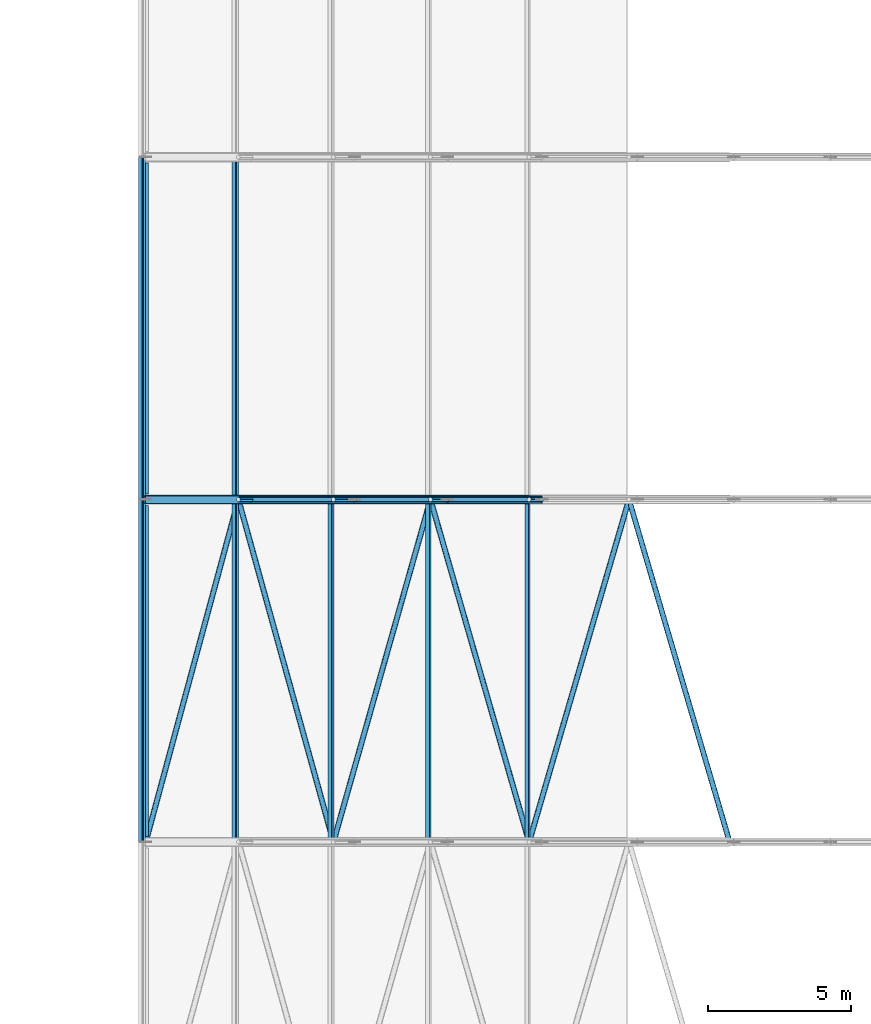
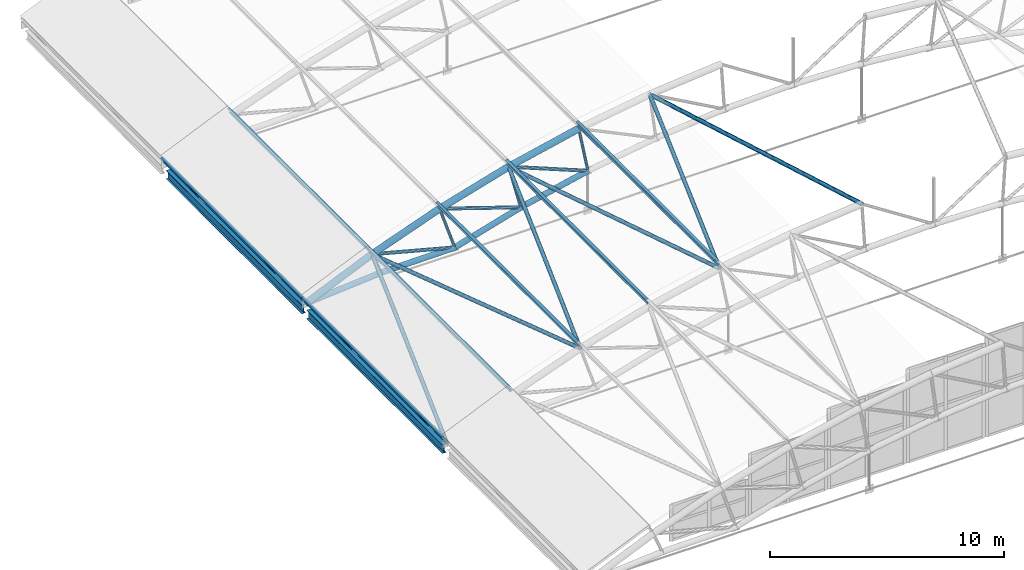
# One storey, part 118 of 321: 28 members, 2 beams.
"""IFC4 building model written with IfcOpenShell, lengths in metres."""

import ifcopenshell
import ifcopenshell.guid

model = None  # the IFC model being written
_history = None  # IfcOwnerHistory: only IFC2X3 demands one
_inside = {}  # id of a spatial element -> (the spatial element, [elements in it])
_under = {}  # id of a project, library or spatial element -> (it, [spatial elements below it])
_declared = {}  # id of a project -> (the project, [libraries it declares])
_typed = {}  # id of a type object -> (the type object, [elements of that type])
_made_of = {}  # id of a material, layer set ... -> (it, [elements and type objects made of it])


def new_model(schema):
    """Start an empty IFC model of exactly this schema.

    Asked for "IFC4X3", IfcOpenShell would pick the latest addendum, in which some entities
    have other attributes; the version numbers below select the first issue.
    IFC2X3 requires an IfcOwnerHistory on every rooted entity: one is made here for all.
    """
    global model, _history
    if schema == "IFC4X3":
        model = ifcopenshell.file(schema_version=(4, 3, 0, 0))
    else:
        model = ifcopenshell.file(schema=schema)
    _inside.clear()
    _under.clear()
    _declared.clear()
    _typed.clear()
    _made_of.clear()
    _history = None
    if model.schema == "IFC2X3":
        org = make("IfcOrganization", Name="unknown")
        user = make(
            "IfcPersonAndOrganization",
            ThePerson=make("IfcPerson", FamilyName="unknown"),
            TheOrganization=org,
        )
        app = make(
            "IfcApplication",
            ApplicationDeveloper=org,
            Version="unknown",
            ApplicationFullName="unknown",
            ApplicationIdentifier="unknown",
        )
        _history = make(
            "IfcOwnerHistory",
            OwningUser=user,
            OwningApplication=app,
            ChangeAction="ADDED",
            CreationDate=0,
        )
    return model


def make(cls, **values):
    """One entity of the class cls with the attributes given. An attribute that is None is left unset."""
    return model.create_entity(
        cls, **{name: value for name, value in values.items() if value is not None}
    )


def rooted(cls, **values):
    """An entity with a GlobalId (a new one), such as an element, a storey or a relation."""
    return make(cls, GlobalId=ifcopenshell.guid.new(), OwnerHistory=_history, **values)


def si_unit(unit_type, name, prefix=None):
    """IfcSIUnit, for example si_unit("LENGTHUNIT", "METRE", prefix="MILLI")."""
    return make("IfcSIUnit", UnitType=unit_type, Prefix=prefix, Name=name)


def assignment(units):
    """IfcUnitAssignment: the units of a project."""
    return None if units is None else make("IfcUnitAssignment", Units=units)


def point(xyz):
    """IfcCartesianPoint."""
    return None if xyz is None else make("IfcCartesianPoint", Coordinates=xyz)


def direction(xyz):
    """IfcDirection."""
    return None if xyz is None else make("IfcDirection", DirectionRatios=xyz)


def frame(location, z_axis=None, x_axis=None):
    """IfcAxis2Placement3D, a coordinate frame: its origin and axes. An axis left out is left unset."""
    return make(
        "IfcAxis2Placement3D",
        Location=point(location),
        Axis=direction(z_axis),
        RefDirection=direction(x_axis),
    )


def frame_2d(location, x_axis=None):
    """IfcAxis2Placement2D, a coordinate frame in the plane: its origin and x axis."""
    return make(
        "IfcAxis2Placement2D", Location=point(location), RefDirection=direction(x_axis)
    )


def origin():
    """The frame at (0, 0, 0) with its axes left unset."""
    return frame((0.0, 0.0, 0.0))


def origin_2d():
    """The frame at (0, 0) in the plane with its x axis left unset."""
    return frame_2d((0.0, 0.0))


def place(relative_to, where):
    """IfcLocalPlacement: puts the frame where relative to a parent placement (None: the world)."""
    return make(
        "IfcLocalPlacement", PlacementRelTo=relative_to, RelativePlacement=where
    )


def context(
    kind, dimensions, precision=None, world=None, true_north=None, identifier=None
):
    """IfcGeometricRepresentationContext, for example the 3D "Model" context."""
    return make(
        "IfcGeometricRepresentationContext",
        ContextIdentifier=identifier,
        ContextType=kind,
        CoordinateSpaceDimension=dimensions,
        Precision=precision,
        WorldCoordinateSystem=world,
        TrueNorth=true_north,
    )


def subcontext(parent, identifier, kind, view, scale=None):
    """IfcGeometricRepresentationSubContext, for example "Body" below "Model"."""
    return make(
        "IfcGeometricRepresentationSubContext",
        ContextIdentifier=identifier,
        ContextType=kind,
        ParentContext=parent,
        TargetScale=scale,
        TargetView=view,
    )


def project(units=None, contexts=None):
    """IfcProject with its units and contexts."""
    return rooted(
        "IfcProject",
        Name="project",
        RepresentationContexts=contexts,
        UnitsInContext=assignment(units),
    )


def spatial(cls, under=None, at=None, **own):
    """A site, building, storey or space (cls), placed at a placement, below another one or the project."""
    s = rooted(cls, ObjectPlacement=at, **own)
    if under is not None:
        _under.setdefault(under.id(), (under, []))[1].append(s)
    return s


def profile(cls, at=None, kind="AREA", **sizes):
    """A parametric profile (cls). Its sizes go by their IFC names, for example OverallWidth=200.0."""
    return make(cls, ProfileType=kind, Position=at, **sizes)


def hollow_circle(**sizes):
    """IfcCircleHollowProfileDef."""
    return profile("IfcCircleHollowProfileDef", **sizes)


def i_section(**sizes):
    """IfcIShapeProfileDef."""
    return profile("IfcIShapeProfileDef", **sizes)


def extrude(swept, where, along, depth):
    """IfcExtrudedAreaSolid: the profile swept, set in the frame where, extruded along a direction by depth."""
    return make(
        "IfcExtrudedAreaSolid",
        SweptArea=swept,
        Position=where,
        ExtrudedDirection=direction(along),
        Depth=depth,
    )


def shape(context_of_items, identifier, shape_type, items):
    """IfcShapeRepresentation: the items that make up one representation, for example the "Body"."""
    return make(
        "IfcShapeRepresentation",
        ContextOfItems=context_of_items,
        RepresentationIdentifier=identifier,
        RepresentationType=shape_type,
        Items=items,
    )


def material(Name=None, Category=None):
    """IfcMaterial."""
    return make("IfcMaterial", Name=Name, Category=Category)


def material_profile(
    of_material, cross_section, Name=None, Category=None, Priority=None
):
    """IfcMaterialProfile: a cross section and its material."""
    return make(
        "IfcMaterialProfile",
        Name=Name,
        Material=of_material,
        Profile=cross_section,
        Priority=Priority,
        Category=Category,
    )


def profile_set(profiles, Name=None, composite=None):
    """IfcMaterialProfileSet."""
    return make(
        "IfcMaterialProfileSet",
        Name=Name,
        MaterialProfiles=profiles,
        CompositeProfile=composite,
    )


def made_of(thing, what):
    """Note that an element or type object is made of a material, layer set ...; save() writes the relation."""
    if what is not None:
        _made_of.setdefault(what.id(), (what, []))[1].append(thing)
    return thing


def type_object(cls, material=None, **own):
    """A type object (cls), such as IfcWallType, which elements share."""
    return made_of(rooted(cls, **own), material)


def element(
    cls,
    number,
    at=None,
    inside=None,
    cuts=None,
    type_object=None,
    material=None,
    context=None,
    identifier="Body",
    shape_type=None,
    held_by="IfcProductDefinitionShape",
    body=None,
    shapes=None,
    **own,
):
    """One element of the class cls, such as IfcWall. Its Tag is "e" and its number.

    at: its placement. inside: the storey or other place that contains it. cuts: it is an
    opening in that element (IfcRelVoidsElement). A single representation is given by context,
    identifier, shape_type and body (its items); several are given by shapes. held_by: the class
    of the entity that holds the representations. save() writes the other relations.
    """
    e = rooted(cls, Tag="e%d" % number, ObjectPlacement=at, **own)
    if body is not None:
        shapes = [shape(context, identifier, shape_type, body)]
    if shapes is not None:
        e.Representation = make(held_by, Representations=shapes)
    if inside is not None:
        _inside.setdefault(inside.id(), (inside, []))[1].append(e)
    if cuts is not None:
        rooted(
            "IfcRelVoidsElement", RelatingBuildingElement=cuts, RelatedOpeningElement=e
        )
    if type_object is not None:
        _typed.setdefault(type_object.id(), (type_object, []))[1].append(e)
    return made_of(e, material)


def aggregate(whole, parts):
    """IfcRelAggregates: a whole, such as a stair, and the parts it consists of."""
    return rooted("IfcRelAggregates", RelatingObject=whole, RelatedObjects=parts)


def save(model, path):
    """Write the relations noted so far, then the file.

    IfcRelAggregates (storeys below a building ...), IfcRelContainedInSpatialStructure (elements
    in a storey), IfcRelDefinesByType, IfcRelAssociatesMaterial and IfcRelDeclares: one each for
    every whole, place, type object, material and project.
    """
    for whole, parts in _under.values():
        aggregate(whole, parts)
    for where, things in _inside.values():
        rooted(
            "IfcRelContainedInSpatialStructure",
            RelatedElements=things,
            RelatingStructure=where,
        )
    for kind, things in _typed.values():
        rooted("IfcRelDefinesByType", RelatedObjects=things, RelatingType=kind)
    for what, things in _made_of.values():
        rooted("IfcRelAssociatesMaterial", RelatedObjects=things, RelatingMaterial=what)
    for by, libraries in _declared.values():
        rooted("IfcRelDeclares", RelatingContext=by, RelatedDefinitions=libraries)
    model.write(path)


model = new_model("IFC4")

# Units and contexts
model_context = context("Model", 3, precision=1e-05, world=origin(), true_north=direction((0.0, 1.0)))
body_context = subcontext(model_context, "Body", "Model", "MODEL_VIEW")
ifc_project = project(units=[si_unit("LENGTHUNIT", "METRE"), si_unit("AREAUNIT", "SQUARE_METRE"), si_unit("VOLUMEUNIT", "CUBIC_METRE"), si_unit("PLANEANGLEUNIT", "RADIAN"), si_unit("MASSUNIT", "GRAM", prefix="KILO")], contexts=[model_context])

# Site, building, storey
site_placement = place(None, origin())
site = spatial("IfcSite", under=ifc_project, at=site_placement, CompositionType="ELEMENT")
building_placement = place(site_placement, origin())
building = spatial("IfcBuilding", under=site, at=building_placement, Name="Ravi Spectrum Wholesale Market", CompositionType="ELEMENT")
storey_placement = place(building_placement, frame((0.0, 0.0, 10.800048828125)))
storey = spatial("IfcBuildingStorey", under=building, at=storey_placement, Name="L02", CompositionType="ELEMENT", Elevation=10.800048828125)

# Members
ifc_material_1 = material(Name="Steel S355", Category="steel")
ifc_material_profile_1 = material_profile(ifc_material_1, hollow_circle(Radius=0.06982421875, WallThickness=0.0048828125, at=origin_2d()))
ifc_profile_set_1 = profile_set([ifc_material_profile_1], Name="Steel S355")
member_type_1 = type_object("IfcMemberType", Name="CHS 139.7x5 post", PredefinedType="POST", material=ifc_profile_set_1)
member_1_placement = place(storey_placement, frame((153.24755859375, 102.0, 1.415283203125), z_axis=(0.370337942638, 0.0, -0.928897092386), x_axis=(0.0, 1.0, 0.0)))
element("IfcMember", 1, at=member_1_placement, inside=storey, type_object=member_type_1, Name="H2-MB-L02-141", PredefinedType="POST", context=body_context, shape_type="SweptSolid", body=[
    extrude(hollow_circle(Radius=0.06982421875, WallThickness=0.0048828125, at=origin_2d()), origin(), (0.0, 0.0, 1.0), 1.19970703125),
])
member_2_placement = place(storey_placement, frame((156.577880859375, 102.0, 2.62255859375), z_axis=(0.310973905747, 0.0, -0.950418449918), x_axis=(0.0, 1.0, 0.0)))
element("IfcMember", 2, at=member_2_placement, inside=storey, type_object=member_type_1, Name="H2-MB-L02-142", PredefinedType="POST", context=body_context, shape_type="SweptSolid", body=[
    extrude(hollow_circle(Radius=0.06982421875, WallThickness=0.0048828125, at=origin_2d()), origin(), (0.0, 0.0, 1.0), 2.39990234375),
])
member_3_placement = place(storey_placement, frame((159.97802734375, 102.0, 3.6171875), z_axis=(0.250234870817, 0.0, -0.96818516278), x_axis=(0.0, 1.0, 0.0)))
element("IfcMember", 3, at=member_3_placement, inside=storey, type_object=member_type_1, Name="H2-MB-L02-143", PredefinedType="POST", context=body_context, shape_type="SweptSolid", body=[
    extrude(hollow_circle(Radius=0.06982421875, WallThickness=0.0048828125, at=origin_2d()), origin(), (0.0, 0.0, 1.0), 2.400146484375),
])
member_4_placement = place(storey_placement, frame((163.434326171875, 102.0, 4.394775390625), z_axis=(0.188500261805, 0.0, -0.982073139486), x_axis=(0.0, 1.0, 0.0)))
element("IfcMember", 4, at=member_4_placement, inside=storey, type_object=member_type_1, Name="H2-MB-L02-144", PredefinedType="POST", context=body_context, shape_type="SweptSolid", body=[
    extrude(hollow_circle(Radius=0.06982421875, WallThickness=0.0048828125, at=origin_2d()), origin(), (0.0, 0.0, 1.0), 2.39990234375),
])
ifc_material_2 = material(Name="Steel S355", Category="steel")
ifc_material_profile_2 = material_profile(ifc_material_2, hollow_circle(Radius=0.084228515625, WallThickness=0.00634765625, at=origin_2d()))
ifc_profile_set_2 = profile_set([ifc_material_profile_2], Name="Steel S355")
member_type_2 = type_object("IfcMemberType", Name="CHS 168.3x6.3 brace", PredefinedType="BRACE", material=ifc_profile_set_2)
member_5_placement = place(storey_placement, frame((153.24755859375, 102.0, 1.415283203125), z_axis=(0.96702050396, 0.0, -0.254698537335), x_axis=(0.0, 1.0, 0.0)))
element("IfcMember", 5, at=member_5_placement, inside=storey, type_object=member_type_2, Name="H2-MB-L02-154", PredefinedType="BRACE", context=body_context, shape_type="SweptSolid", body=[
    extrude(hollow_circle(Radius=0.084228515625, WallThickness=0.00634765625, at=origin_2d()), origin(), (0.0, 0.0, 1.0), 4.215576171875),
])
for number, where, z_axis, x_axis, name in (
    (6, (156.577880859375, 102.0, 2.62255859375), (0.949001331945, 0.0, -0.315272060237), (0.0, 1.0, 0.0), "H2-MB-L02-155"),
    (7, (159.97802734375, 102.0, 3.6171875), (0.927172989808, 0.0, -0.374633483515), (0.0, 1.0, 0.0), "H2-MB-L02-156"),
):
    element("IfcMember", number, at=place(storey_placement, frame(where, z_axis=z_axis, x_axis=x_axis)), inside=storey, type_object=member_type_2, Name=name, PredefinedType="BRACE", context=body_context, shape_type="SweptSolid", body=[
        extrude(hollow_circle(Radius=0.084228515625, WallThickness=0.00634765625, at=origin_2d()), origin(), (0.0, 0.0, 1.0), 4.2158203125),
    ])
ifc_material_3 = material(Name="Steel S355", Category="steel")
ifc_material_profile_3 = material_profile(ifc_material_3, hollow_circle(Radius=0.096923828125, WallThickness=0.00634765625, at=origin_2d()))
ifc_profile_set_3 = profile_set([ifc_material_profile_3], Name="Steel S355")
member_type_3 = type_object("IfcMemberType", Name="CHS 193.7x6.3 brace", PredefinedType="BRACE", material=ifc_profile_set_3)
for number, where, z_axis, x_axis, name in (
    (8, (150.0, 90.0, 0.0), (0.259555912647, 0.959080756158, 0.113114240386), (-0.965275907669, 0.261232505774, 0.0), "H2-MB-L02-355"),
    (9, (153.24755859375, 102.0, 1.415283203125), (0.266171604167, -0.959084135183, 0.096489889495), (0.963580234601, 0.267419392501, 0.0), "H2-MB-L02-356"),
    (10, (156.577880859375, 90.0, 2.62255859375), (0.271750717497, 0.959078858792, 0.079493963027), (-0.962123645882, 0.27261344434, 0.0), "H2-MB-L02-357"),
    (11, (159.97802734375, 102.0, 3.6171875), (0.276238275492, -0.959077750723, 0.062147270427), (0.960935248046, 0.276773280977, 0.0), "H2-MB-L02-358"),
    (12, (163.434326171875, 90.0, 4.394775390625), (0.279595912335, 0.959082858756, 0.04456675719), (-0.960036743137, 0.279873992766, 0.0), "H2-MB-L02-359"),
    (13, (166.9326171875, 102.0, 4.952392578125), (0.281858742221, -0.959080712886, 0.026829752202), (0.95942608958, 0.281960243001, 0.0), "H2-MB-L02-360"),
):
    element("IfcMember", number, at=place(storey_placement, frame(where, z_axis=z_axis, x_axis=x_axis)), inside=storey, type_object=member_type_3, Name=name, PredefinedType="BRACE", context=body_context, shape_type="SweptSolid", body=[
        extrude(hollow_circle(Radius=0.096923828125, WallThickness=0.00634765625, at=origin_2d()), origin(), (0.0, 0.0, 1.0), 12.511962890625),
    ])
ifc_material_4 = material(Name="Steel S355", Category="steel")
ifc_material_profile_4 = material_profile(ifc_material_4, hollow_circle(Radius=0.136474609375, WallThickness=0.010009765625, at=origin_2d()))
ifc_profile_set_4 = profile_set([ifc_material_profile_4], Name="Steel S355")
member_type_4 = type_object("IfcMemberType", Name="CHS 273x10 chord", PredefinedType="CHORD", material=ifc_profile_set_4)
member_6_placement = place(storey_placement, frame((150.0, 102.0, 0.0), z_axis=(0.996697692296, 0.0, 0.081201663597), x_axis=(0.0, 1.0, 0.0)))
element("IfcMember", 14, at=member_6_placement, inside=storey, type_object=member_type_4, Name="H2-MB-L02-127", PredefinedType="CHORD", context=body_context, shape_type="SweptSolid", body=[
    extrude(hollow_circle(Radius=0.136474609375, WallThickness=0.010009765625, at=origin_2d()), origin(), (0.0, 0.0, 1.0), 3.7041015625),
])
member_7_placement = place(storey_placement, frame((153.69189453125, 102.0, 0.30078125), z_axis=(0.999937009827, 0.0, 0.011223919925), x_axis=(0.0, 1.0, 0.0)))
element("IfcMember", 15, at=member_7_placement, inside=storey, type_object=member_type_4, Name="H2-MB-L02-128", PredefinedType="CHORD", context=body_context, shape_type="SweptSolid", body=[
    extrude(hollow_circle(Radius=0.136474609375, WallThickness=0.010009765625, at=origin_2d()), origin(), (0.0, 0.0, 1.0), 3.632568359375),
])
for number, where, z_axis, x_axis, name in (
    (16, (157.32421875, 102.0, 0.341552734375), (0.959785210249, 0.0, 0.280735373951), (0.0, 1.0, 0.0), "H2-MB-L02-129"),
    (17, (160.57861328125, 102.0, 1.29345703125), (0.975605901076, 0.0, 0.219529327851), (0.0, 1.0, 0.0), "H2-MB-L02-130"),
):
    element("IfcMember", number, at=place(storey_placement, frame(where, z_axis=z_axis, x_axis=x_axis)), inside=storey, type_object=member_type_4, Name=name, PredefinedType="CHORD", context=body_context, shape_type="SweptSolid", body=[
        extrude(hollow_circle(Radius=0.136474609375, WallThickness=0.010009765625, at=origin_2d()), origin(), (0.0, 0.0, 1.0), 3.390869140625),
    ])
ifc_material_5 = material(Name="Steel S355", Category="steel")
ifc_material_profile_5 = material_profile(ifc_material_5, hollow_circle(Radius=0.161865234375, WallThickness=0.010009765625, at=origin_2d()))
ifc_profile_set_5 = profile_set([ifc_material_profile_5], Name="Steel S355")
member_type_5 = type_object("IfcMemberType", Name="CHS 323.9x10 chord", PredefinedType="CHORD", material=ifc_profile_set_5)
for number, where, z_axis, x_axis, name in (
    (18, (150.0, 102.0, 0.0), (0.916728973025, 0.0, 0.399509687012), (0.0, 1.0, 0.0), "H2-MB-L02-113"),
    (19, (153.24755859375, 102.0, 1.415283203125), (0.940133028891, 0.0, 0.340807699426), (0.0, 1.0, 0.0), "H2-MB-L02-114"),
):
    element("IfcMember", number, at=place(storey_placement, frame(where, z_axis=z_axis, x_axis=x_axis)), inside=storey, type_object=member_type_5, Name=name, PredefinedType="CHORD", context=body_context, shape_type="SweptSolid", body=[
        extrude(hollow_circle(Radius=0.161865234375, WallThickness=0.010009765625, at=origin_2d()), origin(), (0.0, 0.0, 1.0), 3.54248046875),
    ])
for number, where, z_axis, x_axis, name in (
    (20, (156.577880859375, 102.0, 2.62255859375), (0.959778179425, 0.0, 0.280759409993), (0.0, 1.0, 0.0), "H2-MB-L02-115"),
    (21, (159.97802734375, 102.0, 3.6171875), (0.975614552373, 0.0, 0.219490877256), (0.0, 1.0, 0.0), "H2-MB-L02-116"),
):
    element("IfcMember", number, at=place(storey_placement, frame(where, z_axis=z_axis, x_axis=x_axis)), inside=storey, type_object=member_type_5, Name=name, PredefinedType="CHORD", context=body_context, shape_type="SweptSolid", body=[
        extrude(hollow_circle(Radius=0.161865234375, WallThickness=0.010009765625, at=origin_2d()), origin(), (0.0, 0.0, 1.0), 3.542724609375),
    ])
ifc_material_6 = material(Name="Steel S355", Category="steel")
ifc_material_profile_6 = material_profile(ifc_material_6, i_section(OverallWidth=0.135009765625, OverallDepth=0.27001953125, WebThickness=0.006591796875, FlangeThickness=0.01025390625, at=origin_2d()))
ifc_profile_set_6 = profile_set([ifc_material_profile_6], Name="Steel S355")
member_type_6 = type_object("IfcMemberType", Name="IPE 270 purlin", PredefinedType="PURLIN", material=ifc_profile_set_6)
for number, where, z_axis, x_axis, name in (
    (22, (149.872802734375, 90.0, 0.268310546875), (0.0, 1.0, 0.0), (-0.903628792263, 0.0, -0.428316478545), "H2-MB-L02-296"),
    (23, (153.137451171875, 90.0, 1.691162109375), (0.0, 1.0, 0.0), (-0.928888434673, 0.0, -0.370359657536), "H2-MB-L02-297"),
    (24, (156.485595703125, 90.0, 2.90478515625), (0.0, 1.0, 0.0), (-0.950435264979, 0.0, -0.310922509774), "H2-MB-L02-298"),
    (25, (159.90380859375, 90.0, 3.904541015625), (0.0, 1.0, 0.0), (-0.968183171472, 0.0, -0.250242575271), "H2-MB-L02-299"),
    (26, (163.378173828125, 90.0, 4.6865234375), (0.0, 1.0, 0.0), (-0.982061208549, 0.0, -0.188562410526), "H2-MB-L02-300"),
    (27, (149.872802734375, 102.0, 0.268310546875), (0.0, 1.0, 0.0), (-0.903628792263, 0.0, -0.428316478545), "H2-MB-L02-311"),
    (28, (153.137451171875, 102.0, 1.691162109375), (0.0, 1.0, 0.0), (-0.928888434673, 0.0, -0.370359657536), "H2-MB-L02-312"),
):
    element("IfcMember", number, at=place(storey_placement, frame(where, z_axis=z_axis, x_axis=x_axis)), inside=storey, type_object=member_type_6, Name=name, PredefinedType="PURLIN", context=body_context, shape_type="SweptSolid", body=[
        extrude(i_section(OverallWidth=0.135009765625, OverallDepth=0.27001953125, WebThickness=0.006591796875, FlangeThickness=0.01025390625, at=origin_2d()), origin(), (0.0, 0.0, 1.0), 12.0),
    ])

# Beams
ifc_material_7 = material(Name="Steel S355", Category="steel")
ifc_material_profile_7 = material_profile(ifc_material_7, i_section(OverallWidth=0.18994140625, OverallDepth=0.449951171875, WebThickness=0.009521484375, FlangeThickness=0.0146484375, at=origin_2d()))
ifc_profile_set_7 = profile_set([ifc_material_profile_7], Name="Steel S355")
beam_type = type_object("IfcBeamType", Name="IPE 450 girder", PredefinedType="BEAM", material=ifc_profile_set_7)
for number, where, z_axis, x_axis, name in (
    (29, (150.0, 90.203125, -0.425048828125), (0.0, 1.0, 0.0), (-1.0, 0.0, 0.0), "H2-BM-L02-002"),
    (30, (150.0, 102.203125, -0.425048828125), (0.0, 1.0, 0.0), (-1.0, 0.0, 0.0), "H2-BM-L02-003"),
):
    element("IfcBeam", number, at=place(storey_placement, frame(where, z_axis=z_axis, x_axis=x_axis)), inside=storey, type_object=beam_type, Name=name, PredefinedType="BEAM", context=body_context, shape_type="SweptSolid", body=[
        extrude(i_section(OverallWidth=0.18994140625, OverallDepth=0.449951171875, WebThickness=0.009521484375, FlangeThickness=0.0146484375, at=origin_2d()), origin(), (0.0, 0.0, 1.0), 11.59375),
    ])

save(model, "model.ifc")
